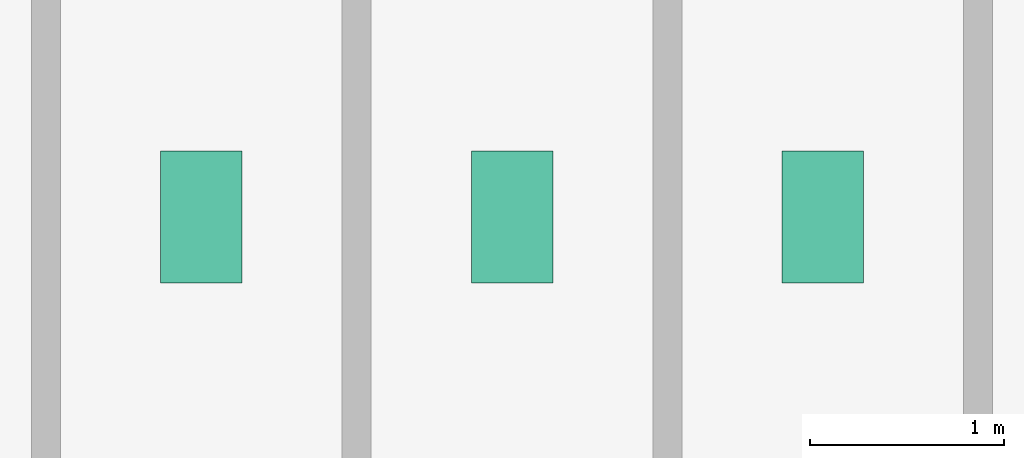
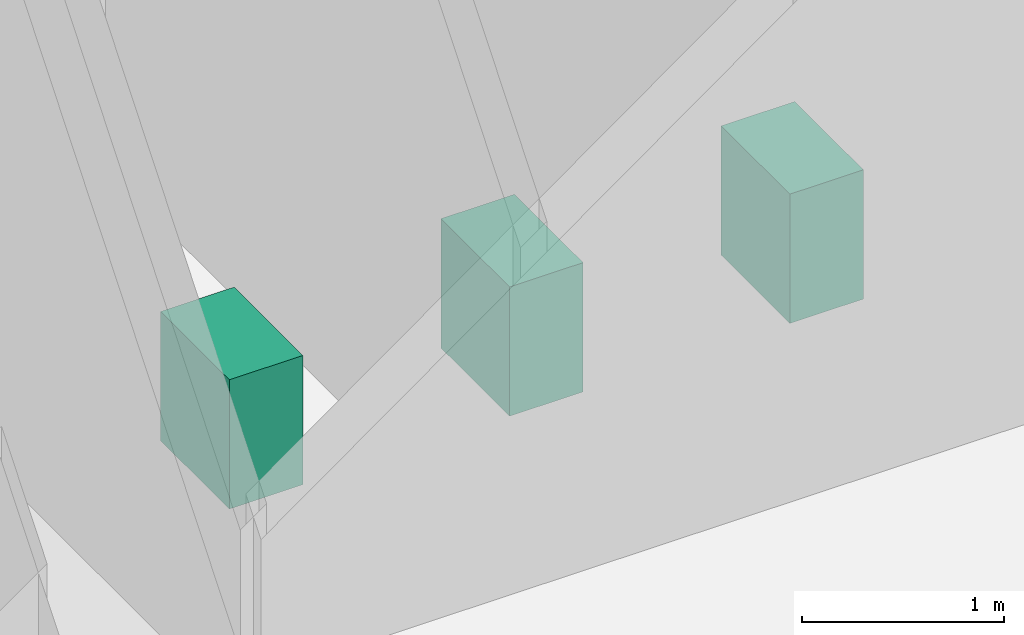
# One storey, part 25 of 25: 3 sanitary terminals.
"""IFC4 building model written with IfcOpenShell, lengths in metres."""

from ifc_helpers import new_model, si_unit, derived_unit, direction, frame, origin, origin_2d, place, context, subcontext, project, spatial, rectangle, extrude, source, transform, mapped, material, type_object, element, save


model = new_model("IFC4")

# Units and contexts
model_context = context("Model", 3, precision=1e-05, world=origin(), true_north=direction((0.0, 1.0)))
body_context = subcontext(model_context, "Body", "Model", "MODEL_VIEW")
ifc_project = project(units=[si_unit("LENGTHUNIT", "METRE"), si_unit("AREAUNIT", "SQUARE_METRE"), si_unit("VOLUMEUNIT", "CUBIC_METRE"), si_unit("PLANEANGLEUNIT", "RADIAN"), si_unit("MASSUNIT", "GRAM", prefix="KILO"), derived_unit("THERMALTRANSMITTANCEUNIT", [(si_unit("POWERUNIT", "WATT"), 1), (si_unit("LENGTHUNIT", "METRE"), -2), (si_unit("THERMODYNAMICTEMPERATUREUNIT", "KELVIN"), -1)])], contexts=[model_context])

# Site, building, storey
site_placement = place(None, origin())
site = spatial("IfcSite", under=ifc_project, at=site_placement, CompositionType="ELEMENT")
building_placement = place(site_placement, origin())
building = spatial("IfcBuilding", under=site, at=building_placement, Name="Skarnbrae Concourse Arena and Tower", CompositionType="ELEMENT")
storey_placement = place(building_placement, frame((0.0, 0.0, 177.10009765625)))
storey = spatial("IfcBuildingStorey", under=building, at=storey_placement, Name="L45", CompositionType="ELEMENT", Elevation=177.10009765625)

# Sanitary terminals
ifc_material = material(Name="Vitreous china sanitaryware", Category="other")
sanitary_terminal_type = type_object("IfcSanitaryTerminalType", Name="SAN-WC-VITREOUS", PredefinedType="TOILETPAN", material=ifc_material)
shared_shape = source(origin(), body_context, "Body", "SweptSolid", [
    extrude(rectangle(XDim=0.419921875, YDim=0.679931640625, at=origin_2d()), origin(), (0.0, 0.0, 1.0), 0.780029296875),
])
for number, where, z_axis, x_axis, name in (
    (1, (35.0, 11.39990234375, 0.0), (0.0, 0.0, 1.0), (1.0, 0.0, 0.0), "L45 Washroom WC fixture 1"),
    (2, (36.60009765625, 11.39990234375, 0.0), (0.0, 0.0, 1.0), (1.0, 0.0, 0.0), "L45 Washroom WC fixture 2"),
    (3, (38.199951171875, 11.39990234375, 0.0), (0.0, 0.0, 1.0), (1.0, 0.0, 0.0), "L45 Washroom WC fixture 3"),
):
    element("IfcSanitaryTerminal", number, at=place(storey_placement, frame(where, z_axis=z_axis, x_axis=x_axis)), inside=storey, type_object=sanitary_terminal_type, Name=name, PredefinedType="TOILETPAN", context=body_context, shape_type="MappedRepresentation", body=[
        mapped(shared_shape, transform((0.0, 0.0, 0.0))),
    ])

save(model, "model.ifc")
